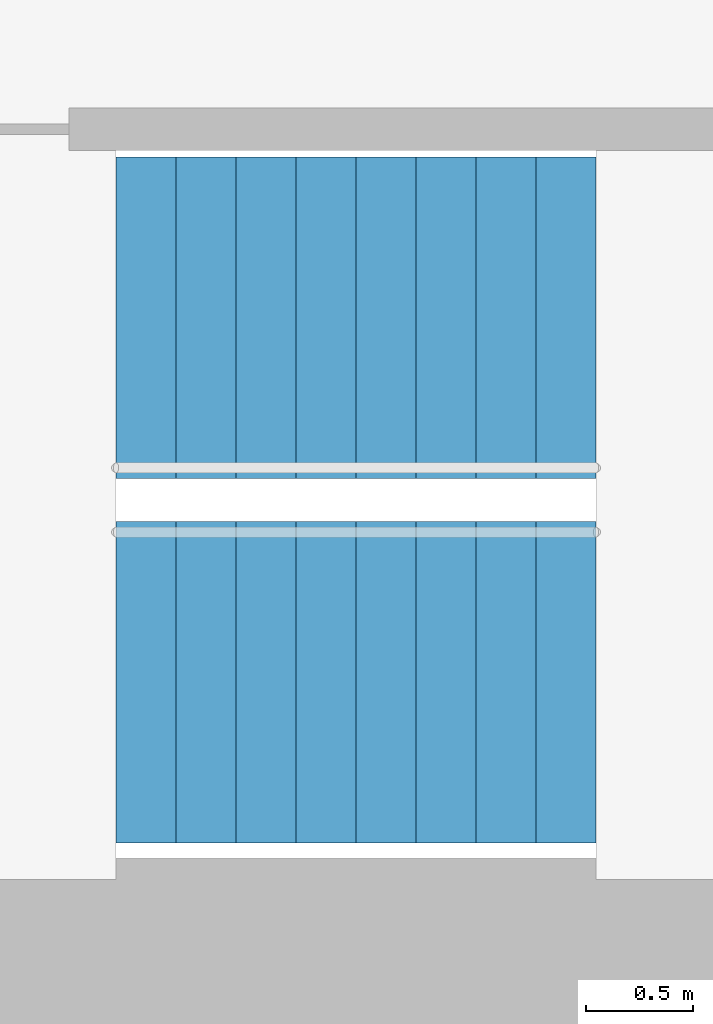
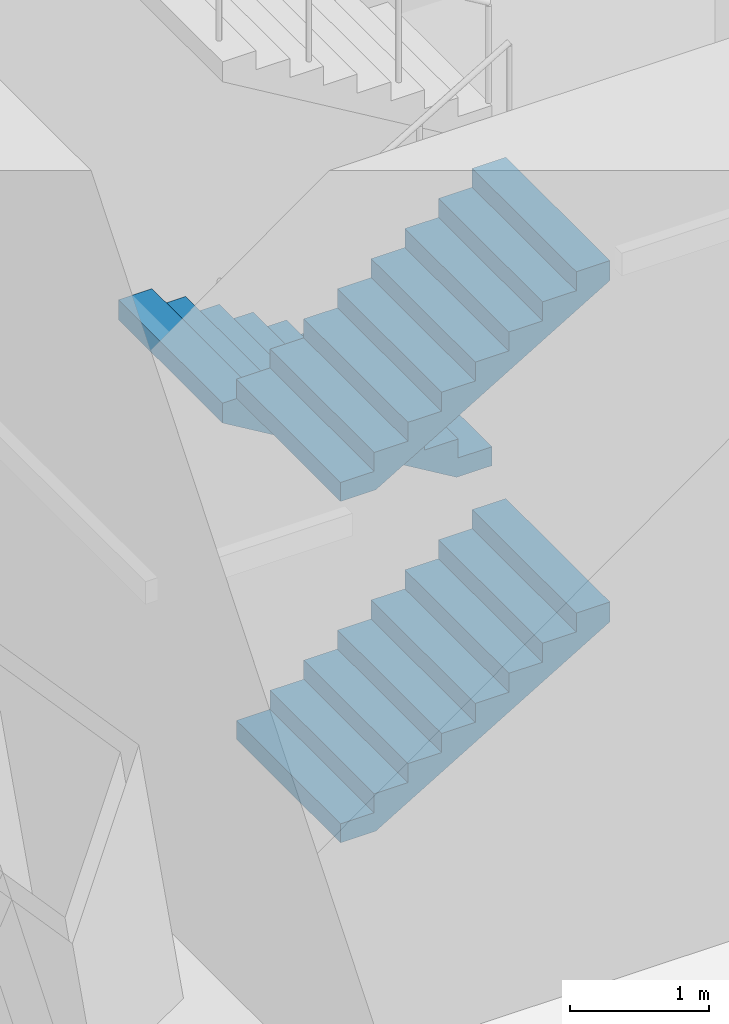
# One storey, part 18 of 21: 3 stair flights, 1 element without a shape of its own.
"""IFC4 building model written with IfcOpenShell, lengths in metres."""

import ifcopenshell
import ifcopenshell.guid

model = None  # the IFC model being written
_history = None  # IfcOwnerHistory: only IFC2X3 demands one
_inside = {}  # id of a spatial element -> (the spatial element, [elements in it])
_under = {}  # id of a project, library or spatial element -> (it, [spatial elements below it])
_declared = {}  # id of a project -> (the project, [libraries it declares])
_typed = {}  # id of a type object -> (the type object, [elements of that type])
_made_of = {}  # id of a material, layer set ... -> (it, [elements and type objects made of it])


def new_model(schema):
    """Start an empty IFC model of exactly this schema.

    Asked for "IFC4X3", IfcOpenShell would pick the latest addendum, in which some entities
    have other attributes; the version numbers below select the first issue.
    IFC2X3 requires an IfcOwnerHistory on every rooted entity: one is made here for all.
    """
    global model, _history
    if schema == "IFC4X3":
        model = ifcopenshell.file(schema_version=(4, 3, 0, 0))
    else:
        model = ifcopenshell.file(schema=schema)
    _inside.clear()
    _under.clear()
    _declared.clear()
    _typed.clear()
    _made_of.clear()
    _history = None
    if model.schema == "IFC2X3":
        org = make("IfcOrganization", Name="unknown")
        user = make(
            "IfcPersonAndOrganization",
            ThePerson=make("IfcPerson", FamilyName="unknown"),
            TheOrganization=org,
        )
        app = make(
            "IfcApplication",
            ApplicationDeveloper=org,
            Version="unknown",
            ApplicationFullName="unknown",
            ApplicationIdentifier="unknown",
        )
        _history = make(
            "IfcOwnerHistory",
            OwningUser=user,
            OwningApplication=app,
            ChangeAction="ADDED",
            CreationDate=0,
        )
    return model


def make(cls, **values):
    """One entity of the class cls with the attributes given. An attribute that is None is left unset."""
    return model.create_entity(
        cls, **{name: value for name, value in values.items() if value is not None}
    )


def rooted(cls, **values):
    """An entity with a GlobalId (a new one), such as an element, a storey or a relation."""
    return make(cls, GlobalId=ifcopenshell.guid.new(), OwnerHistory=_history, **values)


def si_unit(unit_type, name, prefix=None):
    """IfcSIUnit, for example si_unit("LENGTHUNIT", "METRE", prefix="MILLI")."""
    return make("IfcSIUnit", UnitType=unit_type, Prefix=prefix, Name=name)


def assignment(units):
    """IfcUnitAssignment: the units of a project."""
    return None if units is None else make("IfcUnitAssignment", Units=units)


def point(xyz):
    """IfcCartesianPoint."""
    return None if xyz is None else make("IfcCartesianPoint", Coordinates=xyz)


def direction(xyz):
    """IfcDirection."""
    return None if xyz is None else make("IfcDirection", DirectionRatios=xyz)


def frame(location, z_axis=None, x_axis=None):
    """IfcAxis2Placement3D, a coordinate frame: its origin and axes. An axis left out is left unset."""
    return make(
        "IfcAxis2Placement3D",
        Location=point(location),
        Axis=direction(z_axis),
        RefDirection=direction(x_axis),
    )


def origin():
    """The frame at (0, 0, 0) with its axes left unset."""
    return frame((0.0, 0.0, 0.0))


def place(relative_to, where):
    """IfcLocalPlacement: puts the frame where relative to a parent placement (None: the world)."""
    return make(
        "IfcLocalPlacement", PlacementRelTo=relative_to, RelativePlacement=where
    )


def context(
    kind, dimensions, precision=None, world=None, true_north=None, identifier=None
):
    """IfcGeometricRepresentationContext, for example the 3D "Model" context."""
    return make(
        "IfcGeometricRepresentationContext",
        ContextIdentifier=identifier,
        ContextType=kind,
        CoordinateSpaceDimension=dimensions,
        Precision=precision,
        WorldCoordinateSystem=world,
        TrueNorth=true_north,
    )


def subcontext(parent, identifier, kind, view, scale=None):
    """IfcGeometricRepresentationSubContext, for example "Body" below "Model"."""
    return make(
        "IfcGeometricRepresentationSubContext",
        ContextIdentifier=identifier,
        ContextType=kind,
        ParentContext=parent,
        TargetScale=scale,
        TargetView=view,
    )


def project(units=None, contexts=None):
    """IfcProject with its units and contexts."""
    return rooted(
        "IfcProject",
        Name="project",
        RepresentationContexts=contexts,
        UnitsInContext=assignment(units),
    )


def spatial(cls, under=None, at=None, **own):
    """A site, building, storey or space (cls), placed at a placement, below another one or the project."""
    s = rooted(cls, ObjectPlacement=at, **own)
    if under is not None:
        _under.setdefault(under.id(), (under, []))[1].append(s)
    return s


def point_list(points):
    """IfcCartesianPointList2D or 3D."""
    cls = (
        "IfcCartesianPointList2D" if len(points[0]) == 2 else "IfcCartesianPointList3D"
    )
    return make(cls, CoordList=points)


def triangles(points, corners, closed=None, point_numbers=None):
    """IfcTriangulatedFaceSet: each triangle names its three corners, points numbered from 1."""
    return make(
        "IfcTriangulatedFaceSet",
        Coordinates=point_list(points),
        Closed=closed,
        CoordIndex=corners,
        PnIndex=point_numbers,
    )


def shape(context_of_items, identifier, shape_type, items):
    """IfcShapeRepresentation: the items that make up one representation, for example the "Body"."""
    return make(
        "IfcShapeRepresentation",
        ContextOfItems=context_of_items,
        RepresentationIdentifier=identifier,
        RepresentationType=shape_type,
        Items=items,
    )


def material(Name=None, Category=None):
    """IfcMaterial."""
    return make("IfcMaterial", Name=Name, Category=Category)


def made_of(thing, what):
    """Note that an element or type object is made of a material, layer set ...; save() writes the relation."""
    if what is not None:
        _made_of.setdefault(what.id(), (what, []))[1].append(thing)
    return thing


def type_object(cls, material=None, **own):
    """A type object (cls), such as IfcWallType, which elements share."""
    return made_of(rooted(cls, **own), material)


def element(
    cls,
    number,
    at=None,
    inside=None,
    cuts=None,
    type_object=None,
    material=None,
    context=None,
    identifier="Body",
    shape_type=None,
    held_by="IfcProductDefinitionShape",
    body=None,
    shapes=None,
    **own,
):
    """One element of the class cls, such as IfcWall. Its Tag is "e" and its number.

    at: its placement. inside: the storey or other place that contains it. cuts: it is an
    opening in that element (IfcRelVoidsElement). A single representation is given by context,
    identifier, shape_type and body (its items); several are given by shapes. held_by: the class
    of the entity that holds the representations. save() writes the other relations.
    """
    e = rooted(cls, Tag="e%d" % number, ObjectPlacement=at, **own)
    if body is not None:
        shapes = [shape(context, identifier, shape_type, body)]
    if shapes is not None:
        e.Representation = make(held_by, Representations=shapes)
    if inside is not None:
        _inside.setdefault(inside.id(), (inside, []))[1].append(e)
    if cuts is not None:
        rooted(
            "IfcRelVoidsElement", RelatingBuildingElement=cuts, RelatedOpeningElement=e
        )
    if type_object is not None:
        _typed.setdefault(type_object.id(), (type_object, []))[1].append(e)
    return made_of(e, material)


def aggregate(whole, parts):
    """IfcRelAggregates: a whole, such as a stair, and the parts it consists of."""
    return rooted("IfcRelAggregates", RelatingObject=whole, RelatedObjects=parts)


def save(model, path):
    """Write the relations noted so far, then the file.

    IfcRelAggregates (storeys below a building ...), IfcRelContainedInSpatialStructure (elements
    in a storey), IfcRelDefinesByType, IfcRelAssociatesMaterial and IfcRelDeclares: one each for
    every whole, place, type object, material and project.
    """
    for whole, parts in _under.values():
        aggregate(whole, parts)
    for where, things in _inside.values():
        rooted(
            "IfcRelContainedInSpatialStructure",
            RelatedElements=things,
            RelatingStructure=where,
        )
    for kind, things in _typed.values():
        rooted("IfcRelDefinesByType", RelatedObjects=things, RelatingType=kind)
    for what, things in _made_of.values():
        rooted("IfcRelAssociatesMaterial", RelatedObjects=things, RelatingMaterial=what)
    for by, libraries in _declared.values():
        rooted("IfcRelDeclares", RelatingContext=by, RelatedDefinitions=libraries)
    model.write(path)


model = new_model("IFC4")

# Units and contexts
model_context = context("Model", 3, precision=1e-05, world=origin(), true_north=direction((0.0, 1.0)))
body_context = subcontext(model_context, "Body", "Model", "MODEL_VIEW")
ifc_project = project(units=[si_unit("LENGTHUNIT", "METRE"), si_unit("AREAUNIT", "SQUARE_METRE"), si_unit("VOLUMEUNIT", "CUBIC_METRE"), si_unit("PLANEANGLEUNIT", "RADIAN"), si_unit("MASSUNIT", "GRAM", prefix="KILO")], contexts=[model_context])

# Site, building, storey
site_placement = place(None, origin())
site = spatial("IfcSite", under=ifc_project, at=site_placement, CompositionType="ELEMENT")
building_placement = place(site_placement, origin())
building = spatial("IfcBuilding", under=site, at=building_placement, Name="Lantaw Convention Tower", CompositionType="ELEMENT")
storey_placement = place(building_placement, frame((0.0, 0.0, 105.39990234375)))
storey = spatial("IfcBuildingStorey", under=building, at=storey_placement, Name="L25", CompositionType="ELEMENT", Elevation=105.39990234375)

# Stair, stair flights
ifc_material = material(Name="Concrete C35/45", Category="concrete")
stair_type = type_object("IfcStairType", Name="Exit stair 1500 riser 166.67 in 4 flights", PredefinedType="HALF_TURN_STAIR", material=ifc_material)
stair_placement = place(storey_placement, origin())
stair = element("IfcStair", 1, at=stair_placement, inside=storey, type_object=stair_type, Name="Exit stair S1 L25", PredefinedType="HALF_TURN_STAIR")
stair_flight_type = type_object("IfcStairFlightType", Name="Stair flight 1500 riser 166.67", PredefinedType="STRAIGHT", material=ifc_material)
stair_flight_1_placement = place(storey_placement, frame((-10.580078125, -5.97998046875, 0.0), z_axis=(0.0, 0.0, 1.0), x_axis=(1.0, 0.0, 0.0)))
stair_flight_1 = element("IfcStairFlight", 2, at=stair_flight_1_placement, type_object=stair_flight_type, Name="S1 flight 1", NumberOfRisers=9, NumberOfTreads=8, PredefinedType="STRAIGHT", RiserHeight=0.166666667, TreadLength=0.28, context=body_context, shape_type="Tessellation", body=[
    triangles([(0.0, 0.75, 0.0), (0.0, 0.75, 0.166666667), (0.28, 0.75, 0.0), (0.28, 0.75, 0.166666667), (0.28, 0.75, 0.333333334), (0.2930734580690677, 0.75, 0.0), (0.2930734580690677, 0.75, 0.333333334), (0.56, 0.75, 0.1588848467052294), (0.56, 0.75, 0.333333334), (0.56, 0.75, 0.500000001), (0.8400000000000001, 0.75, 0.32555151370522933), (0.8400000000000001, 0.75, 0.500000001), (0.8400000000000001, 0.75, 0.666666668), (1.12, 0.75, 0.4922181807052293), (1.12, 0.75, 0.666666668), (1.12, 0.75, 0.833333335), (1.4000000000000001, 0.75, 0.6588848477052293), (1.4000000000000001, 0.75, 0.833333335), (1.4000000000000001, 0.75, 1.000000002), (1.6800000000000002, 0.75, 0.8255515147052293), (1.6800000000000002, 0.75, 1.000000002), (1.6800000000000002, 0.75, 1.166666669), (1.9600000000000002, 0.75, 0.9922181817052292), (1.9600000000000002, 0.75, 1.166666669), (1.9600000000000002, 0.75, 1.333333336), (2.24, 0.75, 1.1588848487052292), (2.24, 0.75, 1.333333336), (0.0, -0.75, 0.0), (0.0, -0.75, 0.166666667), (0.28, -0.75, 0.0), (0.28, -0.75, 0.166666667), (0.28, -0.75, 0.333333334), (0.2930734580690677, -0.75, 0.0), (0.2930734580690677, -0.75, 0.333333334), (0.56, -0.75, 0.1588848467052294), (0.56, -0.75, 0.333333334), (0.56, -0.75, 0.500000001), (0.8400000000000001, -0.75, 0.32555151370522933), (0.8400000000000001, -0.75, 0.500000001), (0.8400000000000001, -0.75, 0.666666668), (1.12, -0.75, 0.4922181807052293), (1.12, -0.75, 0.666666668), (1.12, -0.75, 0.833333335), (1.4000000000000001, -0.75, 0.6588848477052293), (1.4000000000000001, -0.75, 0.833333335), (1.4000000000000001, -0.75, 1.000000002), (1.6800000000000002, -0.75, 0.8255515147052293), (1.6800000000000002, -0.75, 1.000000002), (1.6800000000000002, -0.75, 1.166666669), (1.9600000000000002, -0.75, 0.9922181817052292), (1.9600000000000002, -0.75, 1.166666669), (1.9600000000000002, -0.75, 1.333333336), (2.24, -0.75, 1.1588848487052292), (2.24, -0.75, 1.333333336), (0.0, 0.15000000000000002, 0.166666667), (0.0, 0.15000000000000002, 0.0), (0.0, 0.0, 0.166666667), (0.0, 0.0, 0.0), (0.0, -0.15000000000000002, 0.166666667), (0.0, -0.15000000000000002, 0.0), (0.28, 0.15000000000000002, 0.333333334), (0.28, 0.15000000000000002, 0.166666667), (0.28, 0.0, 0.333333334), (0.28, 0.0, 0.166666667), (0.28, -0.15000000000000002, 0.333333334), (0.28, -0.15000000000000002, 0.166666667), (0.56, 0.15000000000000002, 0.500000001), (0.56, 0.15000000000000002, 0.333333334), (0.56, 0.0, 0.500000001), (0.56, 0.0, 0.333333334), (0.56, -0.15000000000000002, 0.500000001), (0.56, -0.15000000000000002, 0.333333334), (0.8400000000000001, 0.15000000000000002, 0.666666668), (0.8400000000000001, 0.15000000000000002, 0.500000001), (0.8400000000000001, 0.0, 0.666666668), (0.8400000000000001, 0.0, 0.500000001), (0.8400000000000001, -0.15000000000000002, 0.666666668), (0.8400000000000001, -0.15000000000000002, 0.500000001), (1.12, 0.15000000000000002, 0.833333335), (1.12, 0.15000000000000002, 0.666666668), (1.12, 0.0, 0.833333335), (1.12, 0.0, 0.666666668), (1.12, -0.15000000000000002, 0.833333335), (1.12, -0.15000000000000002, 0.666666668), (1.4000000000000001, 0.15000000000000002, 1.000000002), (1.4000000000000001, 0.15000000000000002, 0.833333335), (1.4000000000000001, 0.0, 1.000000002), (1.4000000000000001, 0.0, 0.833333335), (1.4000000000000001, -0.15000000000000002, 1.000000002), (1.4000000000000001, -0.15000000000000002, 0.833333335), (1.6800000000000002, 0.15000000000000002, 1.166666669), (1.6800000000000002, 0.15000000000000002, 1.000000002), (1.6800000000000002, 0.0, 1.166666669), (1.6800000000000002, 0.0, 1.000000002), (1.6800000000000002, -0.15000000000000002, 1.166666669), (1.6800000000000002, -0.15000000000000002, 1.000000002), (1.9600000000000002, 0.15000000000000002, 1.333333336), (1.9600000000000002, 0.15000000000000002, 1.166666669), (1.9600000000000002, 0.0, 1.333333336), (1.9600000000000002, 0.0, 1.166666669), (1.9600000000000002, -0.15000000000000002, 1.333333336), (1.9600000000000002, -0.15000000000000002, 1.166666669), (0.2930734580690677, 0.15000000000000002, 0.333333334), (0.2930734580690677, 0.0, 0.333333334), (0.2930734580690677, -0.15000000000000002, 0.333333334), (2.24, 0.15000000000000002, 1.333333336), (2.24, 0.0, 1.333333336), (2.24, -0.15000000000000002, 1.333333336), (2.24, 0.15000000000000002, 1.1588848487052292), (2.24, 0.0, 1.1588848487052292), (2.24, -0.15000000000000002, 1.1588848487052292), (1.9600000000000002, 0.15000000000000002, 0.9922181817052292), (1.9600000000000002, 0.0, 0.9922181817052292), (1.9600000000000002, -0.15000000000000002, 0.9922181817052292), (1.6800000000000002, 0.15000000000000002, 0.8255515147052293), (1.6800000000000002, 0.0, 0.8255515147052293), (1.6800000000000002, -0.15000000000000002, 0.8255515147052293), (1.4000000000000001, 0.15000000000000002, 0.6588848477052293), (1.4000000000000001, 0.0, 0.6588848477052293), (1.4000000000000001, -0.15000000000000002, 0.6588848477052293), (1.12, 0.15000000000000002, 0.4922181807052293), (1.12, 0.0, 0.4922181807052293), (1.12, -0.15000000000000002, 0.4922181807052293), (0.8400000000000001, 0.15000000000000002, 0.32555151370522933), (0.8400000000000001, 0.0, 0.32555151370522933), (0.8400000000000001, -0.15000000000000002, 0.32555151370522933), (0.56, 0.15000000000000002, 0.1588848467052294), (0.56, 0.0, 0.1588848467052294), (0.56, -0.15000000000000002, 0.1588848467052294), (0.2930734580690677, 0.15000000000000002, 0.0), (0.2930734580690677, 0.0, 0.0), (0.2930734580690677, -0.15000000000000002, 0.0), (0.28, 0.15000000000000002, 0.0), (0.28, 0.0, 0.0), (0.28, -0.15000000000000002, 0.0)], [[1, 4, 3], [1, 2, 4], [3, 4, 6], [4, 7, 6], [4, 5, 7], [6, 9, 8], [6, 7, 9], [8, 9, 11], [9, 12, 11], [9, 10, 12], [11, 12, 14], [12, 15, 14], [12, 13, 15], [14, 15, 17], [15, 18, 17], [15, 16, 18], [17, 18, 20], [18, 21, 20], [18, 19, 21], [20, 21, 23], [21, 24, 23], [21, 22, 24], [23, 24, 26], [24, 27, 26], [24, 25, 27], [28, 30, 31], [28, 31, 29], [30, 33, 31], [31, 33, 34], [31, 34, 32], [33, 35, 36], [33, 36, 34], [35, 38, 36], [36, 38, 39], [36, 39, 37], [38, 41, 39], [39, 41, 42], [39, 42, 40], [41, 44, 42], [42, 44, 45], [42, 45, 43], [44, 47, 45], [45, 47, 48], [45, 48, 46], [47, 50, 48], [48, 50, 51], [48, 51, 49], [50, 53, 51], [51, 53, 54], [51, 54, 52], [1, 55, 2], [1, 56, 55], [56, 57, 55], [56, 58, 57], [58, 59, 57], [58, 60, 59], [60, 29, 59], [60, 28, 29], [4, 61, 5], [4, 62, 61], [62, 63, 61], [62, 64, 63], [64, 65, 63], [64, 66, 65], [66, 32, 65], [66, 31, 32], [9, 67, 10], [9, 68, 67], [68, 69, 67], [68, 70, 69], [70, 71, 69], [70, 72, 71], [72, 37, 71], [72, 36, 37], [12, 73, 13], [12, 74, 73], [74, 75, 73], [74, 76, 75], [76, 77, 75], [76, 78, 77], [78, 40, 77], [78, 39, 40], [15, 79, 16], [15, 80, 79], [80, 81, 79], [80, 82, 81], [82, 83, 81], [82, 84, 83], [84, 43, 83], [84, 42, 43], [18, 85, 19], [18, 86, 85], [86, 87, 85], [86, 88, 87], [88, 89, 87], [88, 90, 89], [90, 46, 89], [90, 45, 46], [21, 91, 22], [21, 92, 91], [92, 93, 91], [92, 94, 93], [94, 95, 93], [94, 96, 95], [96, 49, 95], [96, 48, 49], [24, 97, 25], [24, 98, 97], [98, 99, 97], [98, 100, 99], [100, 101, 99], [100, 102, 101], [102, 52, 101], [102, 51, 52], [2, 62, 4], [2, 55, 62], [55, 64, 62], [55, 57, 64], [57, 66, 64], [57, 59, 66], [59, 31, 66], [59, 29, 31], [5, 103, 7], [5, 61, 103], [61, 104, 103], [61, 63, 104], [63, 105, 104], [63, 65, 105], [65, 34, 105], [65, 32, 34], [7, 68, 9], [7, 103, 68], [103, 70, 68], [103, 104, 70], [104, 72, 70], [104, 105, 72], [105, 36, 72], [105, 34, 36], [10, 74, 12], [10, 67, 74], [67, 76, 74], [67, 69, 76], [69, 78, 76], [69, 71, 78], [71, 39, 78], [71, 37, 39], [13, 80, 15], [13, 73, 80], [73, 82, 80], [73, 75, 82], [75, 84, 82], [75, 77, 84], [77, 42, 84], [77, 40, 42], [16, 86, 18], [16, 79, 86], [79, 88, 86], [79, 81, 88], [81, 90, 88], [81, 83, 90], [83, 45, 90], [83, 43, 45], [19, 92, 21], [19, 85, 92], [85, 94, 92], [85, 87, 94], [87, 96, 94], [87, 89, 96], [89, 48, 96], [89, 46, 48], [22, 98, 24], [22, 91, 98], [91, 100, 98], [91, 93, 100], [93, 102, 100], [93, 95, 102], [95, 51, 102], [95, 49, 51], [25, 106, 27], [25, 97, 106], [97, 107, 106], [97, 99, 107], [99, 108, 107], [99, 101, 108], [101, 54, 108], [101, 52, 54], [27, 109, 26], [27, 106, 109], [106, 110, 109], [106, 107, 110], [107, 111, 110], [107, 108, 111], [108, 53, 111], [108, 54, 53], [26, 112, 23], [26, 109, 112], [109, 113, 112], [109, 110, 113], [110, 114, 113], [110, 111, 114], [111, 50, 114], [111, 53, 50], [23, 115, 20], [23, 112, 115], [112, 116, 115], [112, 113, 116], [113, 117, 116], [113, 114, 117], [114, 47, 117], [114, 50, 47], [20, 118, 17], [20, 115, 118], [115, 119, 118], [115, 116, 119], [116, 120, 119], [116, 117, 120], [117, 44, 120], [117, 47, 44], [17, 121, 14], [17, 118, 121], [118, 122, 121], [118, 119, 122], [119, 123, 122], [119, 120, 123], [120, 41, 123], [120, 44, 41], [14, 124, 11], [14, 121, 124], [121, 125, 124], [121, 122, 125], [122, 126, 125], [122, 123, 126], [123, 38, 126], [123, 41, 38], [11, 127, 8], [11, 124, 127], [124, 128, 127], [124, 125, 128], [125, 129, 128], [125, 126, 129], [126, 35, 129], [126, 38, 35], [8, 130, 6], [8, 127, 130], [127, 131, 130], [127, 128, 131], [128, 132, 131], [128, 129, 132], [129, 33, 132], [129, 35, 33], [6, 133, 3], [6, 130, 133], [130, 134, 133], [130, 131, 134], [131, 135, 134], [131, 132, 135], [132, 30, 135], [132, 33, 30], [3, 56, 1], [3, 133, 56], [133, 58, 56], [133, 134, 58], [134, 60, 58], [134, 135, 60], [135, 28, 60], [135, 30, 28]], closed=True),
])
stair_flight_2_placement = place(storey_placement, frame((-8.340087890625, -4.280029296875, 1.5), z_axis=(0.0, 0.0, 1.0), x_axis=(-1.0, 0.0, 0.0)))
stair_flight_2 = element("IfcStairFlight", 3, at=stair_flight_2_placement, type_object=stair_flight_type, Name="S1 flight 2", NumberOfRisers=9, NumberOfTreads=8, PredefinedType="STRAIGHT", RiserHeight=0.166666667, TreadLength=0.28, context=body_context, shape_type="Tessellation", body=[
    triangles([(0.0, 0.75, 0.0), (0.0, 0.75, 0.166666667), (0.28, 0.75, 0.0), (0.28, 0.75, 0.166666667), (0.28, 0.75, 0.333333334), (0.2930734580690677, 0.75, 0.0), (0.2930734580690677, 0.75, 0.333333334), (0.56, 0.75, 0.1588848467052294), (0.56, 0.75, 0.333333334), (0.56, 0.75, 0.500000001), (0.8400000000000001, 0.75, 0.32555151370522933), (0.8400000000000001, 0.75, 0.500000001), (0.8400000000000001, 0.75, 0.666666668), (1.12, 0.75, 0.4922181807052293), (1.12, 0.75, 0.666666668), (1.12, 0.75, 0.833333335), (1.4000000000000001, 0.75, 0.6588848477052293), (1.4000000000000001, 0.75, 0.833333335), (1.4000000000000001, 0.75, 1.000000002), (1.6800000000000002, 0.75, 0.8255515147052293), (1.6800000000000002, 0.75, 1.000000002), (1.6800000000000002, 0.75, 1.166666669), (1.9600000000000002, 0.75, 0.9922181817052292), (1.9600000000000002, 0.75, 1.166666669), (1.9600000000000002, 0.75, 1.333333336), (2.24, 0.75, 1.1588848487052292), (2.24, 0.75, 1.333333336), (0.0, -0.75, 0.0), (0.0, -0.75, 0.166666667), (0.28, -0.75, 0.0), (0.28, -0.75, 0.166666667), (0.28, -0.75, 0.333333334), (0.2930734580690677, -0.75, 0.0), (0.2930734580690677, -0.75, 0.333333334), (0.56, -0.75, 0.1588848467052294), (0.56, -0.75, 0.333333334), (0.56, -0.75, 0.500000001), (0.8400000000000001, -0.75, 0.32555151370522933), (0.8400000000000001, -0.75, 0.500000001), (0.8400000000000001, -0.75, 0.666666668), (1.12, -0.75, 0.4922181807052293), (1.12, -0.75, 0.666666668), (1.12, -0.75, 0.833333335), (1.4000000000000001, -0.75, 0.6588848477052293), (1.4000000000000001, -0.75, 0.833333335), (1.4000000000000001, -0.75, 1.000000002), (1.6800000000000002, -0.75, 0.8255515147052293), (1.6800000000000002, -0.75, 1.000000002), (1.6800000000000002, -0.75, 1.166666669), (1.9600000000000002, -0.75, 0.9922181817052292), (1.9600000000000002, -0.75, 1.166666669), (1.9600000000000002, -0.75, 1.333333336), (2.24, -0.75, 1.1588848487052292), (2.24, -0.75, 1.333333336), (0.0, 0.15000000000000002, 0.166666667), (0.0, 0.15000000000000002, 0.0), (0.0, 0.0, 0.166666667), (0.0, 0.0, 0.0), (0.0, -0.15000000000000002, 0.166666667), (0.0, -0.15000000000000002, 0.0), (0.28, 0.15000000000000002, 0.333333334), (0.28, 0.15000000000000002, 0.166666667), (0.28, 0.0, 0.333333334), (0.28, 0.0, 0.166666667), (0.28, -0.15000000000000002, 0.333333334), (0.28, -0.15000000000000002, 0.166666667), (0.56, 0.15000000000000002, 0.500000001), (0.56, 0.15000000000000002, 0.333333334), (0.56, 0.0, 0.500000001), (0.56, 0.0, 0.333333334), (0.56, -0.15000000000000002, 0.500000001), (0.56, -0.15000000000000002, 0.333333334), (0.8400000000000001, 0.15000000000000002, 0.666666668), (0.8400000000000001, 0.15000000000000002, 0.500000001), (0.8400000000000001, 0.0, 0.666666668), (0.8400000000000001, 0.0, 0.500000001), (0.8400000000000001, -0.15000000000000002, 0.666666668), (0.8400000000000001, -0.15000000000000002, 0.500000001), (1.12, 0.15000000000000002, 0.833333335), (1.12, 0.15000000000000002, 0.666666668), (1.12, 0.0, 0.833333335), (1.12, 0.0, 0.666666668), (1.12, -0.15000000000000002, 0.833333335), (1.12, -0.15000000000000002, 0.666666668), (1.4000000000000001, 0.15000000000000002, 1.000000002), (1.4000000000000001, 0.15000000000000002, 0.833333335), (1.4000000000000001, 0.0, 1.000000002), (1.4000000000000001, 0.0, 0.833333335), (1.4000000000000001, -0.15000000000000002, 1.000000002), (1.4000000000000001, -0.15000000000000002, 0.833333335), (1.6800000000000002, 0.15000000000000002, 1.166666669), (1.6800000000000002, 0.15000000000000002, 1.000000002), (1.6800000000000002, 0.0, 1.166666669), (1.6800000000000002, 0.0, 1.000000002), (1.6800000000000002, -0.15000000000000002, 1.166666669), (1.6800000000000002, -0.15000000000000002, 1.000000002), (1.9600000000000002, 0.15000000000000002, 1.333333336), (1.9600000000000002, 0.15000000000000002, 1.166666669), (1.9600000000000002, 0.0, 1.333333336), (1.9600000000000002, 0.0, 1.166666669), (1.9600000000000002, -0.15000000000000002, 1.333333336), (1.9600000000000002, -0.15000000000000002, 1.166666669), (0.2930734580690677, 0.15000000000000002, 0.333333334), (0.2930734580690677, 0.0, 0.333333334), (0.2930734580690677, -0.15000000000000002, 0.333333334), (2.24, 0.15000000000000002, 1.333333336), (2.24, 0.0, 1.333333336), (2.24, -0.15000000000000002, 1.333333336), (2.24, 0.15000000000000002, 1.1588848487052292), (2.24, 0.0, 1.1588848487052292), (2.24, -0.15000000000000002, 1.1588848487052292), (1.9600000000000002, 0.15000000000000002, 0.9922181817052292), (1.9600000000000002, 0.0, 0.9922181817052292), (1.9600000000000002, -0.15000000000000002, 0.9922181817052292), (1.6800000000000002, 0.15000000000000002, 0.8255515147052293), (1.6800000000000002, 0.0, 0.8255515147052293), (1.6800000000000002, -0.15000000000000002, 0.8255515147052293), (1.4000000000000001, 0.15000000000000002, 0.6588848477052293), (1.4000000000000001, 0.0, 0.6588848477052293), (1.4000000000000001, -0.15000000000000002, 0.6588848477052293), (1.12, 0.15000000000000002, 0.4922181807052293), (1.12, 0.0, 0.4922181807052293), (1.12, -0.15000000000000002, 0.4922181807052293), (0.8400000000000001, 0.15000000000000002, 0.32555151370522933), (0.8400000000000001, 0.0, 0.32555151370522933), (0.8400000000000001, -0.15000000000000002, 0.32555151370522933), (0.56, 0.15000000000000002, 0.1588848467052294), (0.56, 0.0, 0.1588848467052294), (0.56, -0.15000000000000002, 0.1588848467052294), (0.2930734580690677, 0.15000000000000002, 0.0), (0.2930734580690677, 0.0, 0.0), (0.2930734580690677, -0.15000000000000002, 0.0), (0.28, 0.15000000000000002, 0.0), (0.28, 0.0, 0.0), (0.28, -0.15000000000000002, 0.0)], [[1, 4, 3], [1, 2, 4], [3, 4, 6], [4, 7, 6], [4, 5, 7], [6, 9, 8], [6, 7, 9], [8, 9, 11], [9, 12, 11], [9, 10, 12], [11, 12, 14], [12, 15, 14], [12, 13, 15], [14, 15, 17], [15, 18, 17], [15, 16, 18], [17, 18, 20], [18, 21, 20], [18, 19, 21], [20, 21, 23], [21, 24, 23], [21, 22, 24], [23, 24, 26], [24, 27, 26], [24, 25, 27], [28, 30, 31], [28, 31, 29], [30, 33, 31], [31, 33, 34], [31, 34, 32], [33, 35, 36], [33, 36, 34], [35, 38, 36], [36, 38, 39], [36, 39, 37], [38, 41, 39], [39, 41, 42], [39, 42, 40], [41, 44, 42], [42, 44, 45], [42, 45, 43], [44, 47, 45], [45, 47, 48], [45, 48, 46], [47, 50, 48], [48, 50, 51], [48, 51, 49], [50, 53, 51], [51, 53, 54], [51, 54, 52], [1, 55, 2], [1, 56, 55], [56, 57, 55], [56, 58, 57], [58, 59, 57], [58, 60, 59], [60, 29, 59], [60, 28, 29], [4, 61, 5], [4, 62, 61], [62, 63, 61], [62, 64, 63], [64, 65, 63], [64, 66, 65], [66, 32, 65], [66, 31, 32], [9, 67, 10], [9, 68, 67], [68, 69, 67], [68, 70, 69], [70, 71, 69], [70, 72, 71], [72, 37, 71], [72, 36, 37], [12, 73, 13], [12, 74, 73], [74, 75, 73], [74, 76, 75], [76, 77, 75], [76, 78, 77], [78, 40, 77], [78, 39, 40], [15, 79, 16], [15, 80, 79], [80, 81, 79], [80, 82, 81], [82, 83, 81], [82, 84, 83], [84, 43, 83], [84, 42, 43], [18, 85, 19], [18, 86, 85], [86, 87, 85], [86, 88, 87], [88, 89, 87], [88, 90, 89], [90, 46, 89], [90, 45, 46], [21, 91, 22], [21, 92, 91], [92, 93, 91], [92, 94, 93], [94, 95, 93], [94, 96, 95], [96, 49, 95], [96, 48, 49], [24, 97, 25], [24, 98, 97], [98, 99, 97], [98, 100, 99], [100, 101, 99], [100, 102, 101], [102, 52, 101], [102, 51, 52], [2, 62, 4], [2, 55, 62], [55, 64, 62], [55, 57, 64], [57, 66, 64], [57, 59, 66], [59, 31, 66], [59, 29, 31], [5, 103, 7], [5, 61, 103], [61, 104, 103], [61, 63, 104], [63, 105, 104], [63, 65, 105], [65, 34, 105], [65, 32, 34], [7, 68, 9], [7, 103, 68], [103, 70, 68], [103, 104, 70], [104, 72, 70], [104, 105, 72], [105, 36, 72], [105, 34, 36], [10, 74, 12], [10, 67, 74], [67, 76, 74], [67, 69, 76], [69, 78, 76], [69, 71, 78], [71, 39, 78], [71, 37, 39], [13, 80, 15], [13, 73, 80], [73, 82, 80], [73, 75, 82], [75, 84, 82], [75, 77, 84], [77, 42, 84], [77, 40, 42], [16, 86, 18], [16, 79, 86], [79, 88, 86], [79, 81, 88], [81, 90, 88], [81, 83, 90], [83, 45, 90], [83, 43, 45], [19, 92, 21], [19, 85, 92], [85, 94, 92], [85, 87, 94], [87, 96, 94], [87, 89, 96], [89, 48, 96], [89, 46, 48], [22, 98, 24], [22, 91, 98], [91, 100, 98], [91, 93, 100], [93, 102, 100], [93, 95, 102], [95, 51, 102], [95, 49, 51], [25, 106, 27], [25, 97, 106], [97, 107, 106], [97, 99, 107], [99, 108, 107], [99, 101, 108], [101, 54, 108], [101, 52, 54], [27, 109, 26], [27, 106, 109], [106, 110, 109], [106, 107, 110], [107, 111, 110], [107, 108, 111], [108, 53, 111], [108, 54, 53], [26, 112, 23], [26, 109, 112], [109, 113, 112], [109, 110, 113], [110, 114, 113], [110, 111, 114], [111, 50, 114], [111, 53, 50], [23, 115, 20], [23, 112, 115], [112, 116, 115], [112, 113, 116], [113, 117, 116], [113, 114, 117], [114, 47, 117], [114, 50, 47], [20, 118, 17], [20, 115, 118], [115, 119, 118], [115, 116, 119], [116, 120, 119], [116, 117, 120], [117, 44, 120], [117, 47, 44], [17, 121, 14], [17, 118, 121], [118, 122, 121], [118, 119, 122], [119, 123, 122], [119, 120, 123], [120, 41, 123], [120, 44, 41], [14, 124, 11], [14, 121, 124], [121, 125, 124], [121, 122, 125], [122, 126, 125], [122, 123, 126], [123, 38, 126], [123, 41, 38], [11, 127, 8], [11, 124, 127], [124, 128, 127], [124, 125, 128], [125, 129, 128], [125, 126, 129], [126, 35, 129], [126, 38, 35], [8, 130, 6], [8, 127, 130], [127, 131, 130], [127, 128, 131], [128, 132, 131], [128, 129, 132], [129, 33, 132], [129, 35, 33], [6, 133, 3], [6, 130, 133], [130, 134, 133], [130, 131, 134], [131, 135, 134], [131, 132, 135], [132, 30, 135], [132, 33, 30], [3, 56, 1], [3, 133, 56], [133, 58, 56], [133, 134, 58], [134, 60, 58], [134, 135, 60], [135, 28, 60], [135, 30, 28]], closed=True),
])
stair_flight_3_placement = place(storey_placement, frame((-10.580078125, -5.97998046875, 3.0), z_axis=(0.0, 0.0, 1.0), x_axis=(1.0, 0.0, 0.0)))
stair_flight_3 = element("IfcStairFlight", 4, at=stair_flight_3_placement, type_object=stair_flight_type, Name="S1 flight 3", NumberOfRisers=9, NumberOfTreads=8, PredefinedType="STRAIGHT", RiserHeight=0.166666667, TreadLength=0.28, context=body_context, shape_type="Tessellation", body=[
    triangles([(0.0, 0.75, 0.0), (0.0, 0.75, 0.166666667), (0.28, 0.75, 0.0), (0.28, 0.75, 0.166666667), (0.28, 0.75, 0.333333334), (0.2930734580690677, 0.75, 0.0), (0.2930734580690677, 0.75, 0.333333334), (0.56, 0.75, 0.1588848467052294), (0.56, 0.75, 0.333333334), (0.56, 0.75, 0.500000001), (0.8400000000000001, 0.75, 0.32555151370522933), (0.8400000000000001, 0.75, 0.500000001), (0.8400000000000001, 0.75, 0.666666668), (1.12, 0.75, 0.4922181807052293), (1.12, 0.75, 0.666666668), (1.12, 0.75, 0.833333335), (1.4000000000000001, 0.75, 0.6588848477052293), (1.4000000000000001, 0.75, 0.833333335), (1.4000000000000001, 0.75, 1.000000002), (1.6800000000000002, 0.75, 0.8255515147052293), (1.6800000000000002, 0.75, 1.000000002), (1.6800000000000002, 0.75, 1.166666669), (1.9600000000000002, 0.75, 0.9922181817052292), (1.9600000000000002, 0.75, 1.166666669), (1.9600000000000002, 0.75, 1.333333336), (2.24, 0.75, 1.1588848487052292), (2.24, 0.75, 1.333333336), (0.0, -0.75, 0.0), (0.0, -0.75, 0.166666667), (0.28, -0.75, 0.0), (0.28, -0.75, 0.166666667), (0.28, -0.75, 0.333333334), (0.2930734580690677, -0.75, 0.0), (0.2930734580690677, -0.75, 0.333333334), (0.56, -0.75, 0.1588848467052294), (0.56, -0.75, 0.333333334), (0.56, -0.75, 0.500000001), (0.8400000000000001, -0.75, 0.32555151370522933), (0.8400000000000001, -0.75, 0.500000001), (0.8400000000000001, -0.75, 0.666666668), (1.12, -0.75, 0.4922181807052293), (1.12, -0.75, 0.666666668), (1.12, -0.75, 0.833333335), (1.4000000000000001, -0.75, 0.6588848477052293), (1.4000000000000001, -0.75, 0.833333335), (1.4000000000000001, -0.75, 1.000000002), (1.6800000000000002, -0.75, 0.8255515147052293), (1.6800000000000002, -0.75, 1.000000002), (1.6800000000000002, -0.75, 1.166666669), (1.9600000000000002, -0.75, 0.9922181817052292), (1.9600000000000002, -0.75, 1.166666669), (1.9600000000000002, -0.75, 1.333333336), (2.24, -0.75, 1.1588848487052292), (2.24, -0.75, 1.333333336), (0.0, 0.15000000000000002, 0.166666667), (0.0, 0.15000000000000002, 0.0), (0.0, 0.0, 0.166666667), (0.0, 0.0, 0.0), (0.0, -0.15000000000000002, 0.166666667), (0.0, -0.15000000000000002, 0.0), (0.28, 0.15000000000000002, 0.333333334), (0.28, 0.15000000000000002, 0.166666667), (0.28, 0.0, 0.333333334), (0.28, 0.0, 0.166666667), (0.28, -0.15000000000000002, 0.333333334), (0.28, -0.15000000000000002, 0.166666667), (0.56, 0.15000000000000002, 0.500000001), (0.56, 0.15000000000000002, 0.333333334), (0.56, 0.0, 0.500000001), (0.56, 0.0, 0.333333334), (0.56, -0.15000000000000002, 0.500000001), (0.56, -0.15000000000000002, 0.333333334), (0.8400000000000001, 0.15000000000000002, 0.666666668), (0.8400000000000001, 0.15000000000000002, 0.500000001), (0.8400000000000001, 0.0, 0.666666668), (0.8400000000000001, 0.0, 0.500000001), (0.8400000000000001, -0.15000000000000002, 0.666666668), (0.8400000000000001, -0.15000000000000002, 0.500000001), (1.12, 0.15000000000000002, 0.833333335), (1.12, 0.15000000000000002, 0.666666668), (1.12, 0.0, 0.833333335), (1.12, 0.0, 0.666666668), (1.12, -0.15000000000000002, 0.833333335), (1.12, -0.15000000000000002, 0.666666668), (1.4000000000000001, 0.15000000000000002, 1.000000002), (1.4000000000000001, 0.15000000000000002, 0.833333335), (1.4000000000000001, 0.0, 1.000000002), (1.4000000000000001, 0.0, 0.833333335), (1.4000000000000001, -0.15000000000000002, 1.000000002), (1.4000000000000001, -0.15000000000000002, 0.833333335), (1.6800000000000002, 0.15000000000000002, 1.166666669), (1.6800000000000002, 0.15000000000000002, 1.000000002), (1.6800000000000002, 0.0, 1.166666669), (1.6800000000000002, 0.0, 1.000000002), (1.6800000000000002, -0.15000000000000002, 1.166666669), (1.6800000000000002, -0.15000000000000002, 1.000000002), (1.9600000000000002, 0.15000000000000002, 1.333333336), (1.9600000000000002, 0.15000000000000002, 1.166666669), (1.9600000000000002, 0.0, 1.333333336), (1.9600000000000002, 0.0, 1.166666669), (1.9600000000000002, -0.15000000000000002, 1.333333336), (1.9600000000000002, -0.15000000000000002, 1.166666669), (0.2930734580690677, 0.15000000000000002, 0.333333334), (0.2930734580690677, 0.0, 0.333333334), (0.2930734580690677, -0.15000000000000002, 0.333333334), (2.24, 0.15000000000000002, 1.333333336), (2.24, 0.0, 1.333333336), (2.24, -0.15000000000000002, 1.333333336), (2.24, 0.15000000000000002, 1.1588848487052292), (2.24, 0.0, 1.1588848487052292), (2.24, -0.15000000000000002, 1.1588848487052292), (1.9600000000000002, 0.15000000000000002, 0.9922181817052292), (1.9600000000000002, 0.0, 0.9922181817052292), (1.9600000000000002, -0.15000000000000002, 0.9922181817052292), (1.6800000000000002, 0.15000000000000002, 0.8255515147052293), (1.6800000000000002, 0.0, 0.8255515147052293), (1.6800000000000002, -0.15000000000000002, 0.8255515147052293), (1.4000000000000001, 0.15000000000000002, 0.6588848477052293), (1.4000000000000001, 0.0, 0.6588848477052293), (1.4000000000000001, -0.15000000000000002, 0.6588848477052293), (1.12, 0.15000000000000002, 0.4922181807052293), (1.12, 0.0, 0.4922181807052293), (1.12, -0.15000000000000002, 0.4922181807052293), (0.8400000000000001, 0.15000000000000002, 0.32555151370522933), (0.8400000000000001, 0.0, 0.32555151370522933), (0.8400000000000001, -0.15000000000000002, 0.32555151370522933), (0.56, 0.15000000000000002, 0.1588848467052294), (0.56, 0.0, 0.1588848467052294), (0.56, -0.15000000000000002, 0.1588848467052294), (0.2930734580690677, 0.15000000000000002, 0.0), (0.2930734580690677, 0.0, 0.0), (0.2930734580690677, -0.15000000000000002, 0.0), (0.28, 0.15000000000000002, 0.0), (0.28, 0.0, 0.0), (0.28, -0.15000000000000002, 0.0)], [[1, 4, 3], [1, 2, 4], [3, 4, 6], [4, 7, 6], [4, 5, 7], [6, 9, 8], [6, 7, 9], [8, 9, 11], [9, 12, 11], [9, 10, 12], [11, 12, 14], [12, 15, 14], [12, 13, 15], [14, 15, 17], [15, 18, 17], [15, 16, 18], [17, 18, 20], [18, 21, 20], [18, 19, 21], [20, 21, 23], [21, 24, 23], [21, 22, 24], [23, 24, 26], [24, 27, 26], [24, 25, 27], [28, 30, 31], [28, 31, 29], [30, 33, 31], [31, 33, 34], [31, 34, 32], [33, 35, 36], [33, 36, 34], [35, 38, 36], [36, 38, 39], [36, 39, 37], [38, 41, 39], [39, 41, 42], [39, 42, 40], [41, 44, 42], [42, 44, 45], [42, 45, 43], [44, 47, 45], [45, 47, 48], [45, 48, 46], [47, 50, 48], [48, 50, 51], [48, 51, 49], [50, 53, 51], [51, 53, 54], [51, 54, 52], [1, 55, 2], [1, 56, 55], [56, 57, 55], [56, 58, 57], [58, 59, 57], [58, 60, 59], [60, 29, 59], [60, 28, 29], [4, 61, 5], [4, 62, 61], [62, 63, 61], [62, 64, 63], [64, 65, 63], [64, 66, 65], [66, 32, 65], [66, 31, 32], [9, 67, 10], [9, 68, 67], [68, 69, 67], [68, 70, 69], [70, 71, 69], [70, 72, 71], [72, 37, 71], [72, 36, 37], [12, 73, 13], [12, 74, 73], [74, 75, 73], [74, 76, 75], [76, 77, 75], [76, 78, 77], [78, 40, 77], [78, 39, 40], [15, 79, 16], [15, 80, 79], [80, 81, 79], [80, 82, 81], [82, 83, 81], [82, 84, 83], [84, 43, 83], [84, 42, 43], [18, 85, 19], [18, 86, 85], [86, 87, 85], [86, 88, 87], [88, 89, 87], [88, 90, 89], [90, 46, 89], [90, 45, 46], [21, 91, 22], [21, 92, 91], [92, 93, 91], [92, 94, 93], [94, 95, 93], [94, 96, 95], [96, 49, 95], [96, 48, 49], [24, 97, 25], [24, 98, 97], [98, 99, 97], [98, 100, 99], [100, 101, 99], [100, 102, 101], [102, 52, 101], [102, 51, 52], [2, 62, 4], [2, 55, 62], [55, 64, 62], [55, 57, 64], [57, 66, 64], [57, 59, 66], [59, 31, 66], [59, 29, 31], [5, 103, 7], [5, 61, 103], [61, 104, 103], [61, 63, 104], [63, 105, 104], [63, 65, 105], [65, 34, 105], [65, 32, 34], [7, 68, 9], [7, 103, 68], [103, 70, 68], [103, 104, 70], [104, 72, 70], [104, 105, 72], [105, 36, 72], [105, 34, 36], [10, 74, 12], [10, 67, 74], [67, 76, 74], [67, 69, 76], [69, 78, 76], [69, 71, 78], [71, 39, 78], [71, 37, 39], [13, 80, 15], [13, 73, 80], [73, 82, 80], [73, 75, 82], [75, 84, 82], [75, 77, 84], [77, 42, 84], [77, 40, 42], [16, 86, 18], [16, 79, 86], [79, 88, 86], [79, 81, 88], [81, 90, 88], [81, 83, 90], [83, 45, 90], [83, 43, 45], [19, 92, 21], [19, 85, 92], [85, 94, 92], [85, 87, 94], [87, 96, 94], [87, 89, 96], [89, 48, 96], [89, 46, 48], [22, 98, 24], [22, 91, 98], [91, 100, 98], [91, 93, 100], [93, 102, 100], [93, 95, 102], [95, 51, 102], [95, 49, 51], [25, 106, 27], [25, 97, 106], [97, 107, 106], [97, 99, 107], [99, 108, 107], [99, 101, 108], [101, 54, 108], [101, 52, 54], [27, 109, 26], [27, 106, 109], [106, 110, 109], [106, 107, 110], [107, 111, 110], [107, 108, 111], [108, 53, 111], [108, 54, 53], [26, 112, 23], [26, 109, 112], [109, 113, 112], [109, 110, 113], [110, 114, 113], [110, 111, 114], [111, 50, 114], [111, 53, 50], [23, 115, 20], [23, 112, 115], [112, 116, 115], [112, 113, 116], [113, 117, 116], [113, 114, 117], [114, 47, 117], [114, 50, 47], [20, 118, 17], [20, 115, 118], [115, 119, 118], [115, 116, 119], [116, 120, 119], [116, 117, 120], [117, 44, 120], [117, 47, 44], [17, 121, 14], [17, 118, 121], [118, 122, 121], [118, 119, 122], [119, 123, 122], [119, 120, 123], [120, 41, 123], [120, 44, 41], [14, 124, 11], [14, 121, 124], [121, 125, 124], [121, 122, 125], [122, 126, 125], [122, 123, 126], [123, 38, 126], [123, 41, 38], [11, 127, 8], [11, 124, 127], [124, 128, 127], [124, 125, 128], [125, 129, 128], [125, 126, 129], [126, 35, 129], [126, 38, 35], [8, 130, 6], [8, 127, 130], [127, 131, 130], [127, 128, 131], [128, 132, 131], [128, 129, 132], [129, 33, 132], [129, 35, 33], [6, 133, 3], [6, 130, 133], [130, 134, 133], [130, 131, 134], [131, 135, 134], [131, 132, 135], [132, 30, 135], [132, 33, 30], [3, 56, 1], [3, 133, 56], [133, 58, 56], [133, 134, 58], [134, 60, 58], [134, 135, 60], [135, 28, 60], [135, 30, 28]], closed=True),
])
aggregate(stair, [stair_flight_1, stair_flight_2, stair_flight_3])

save(model, "model.ifc")
